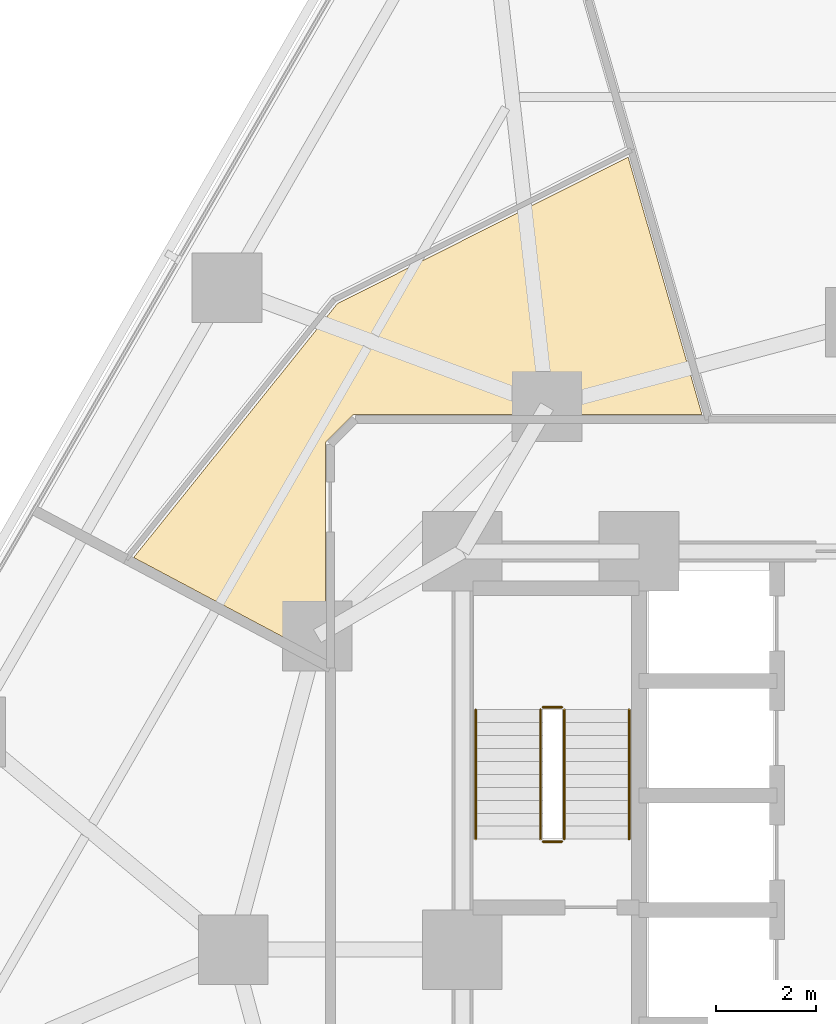
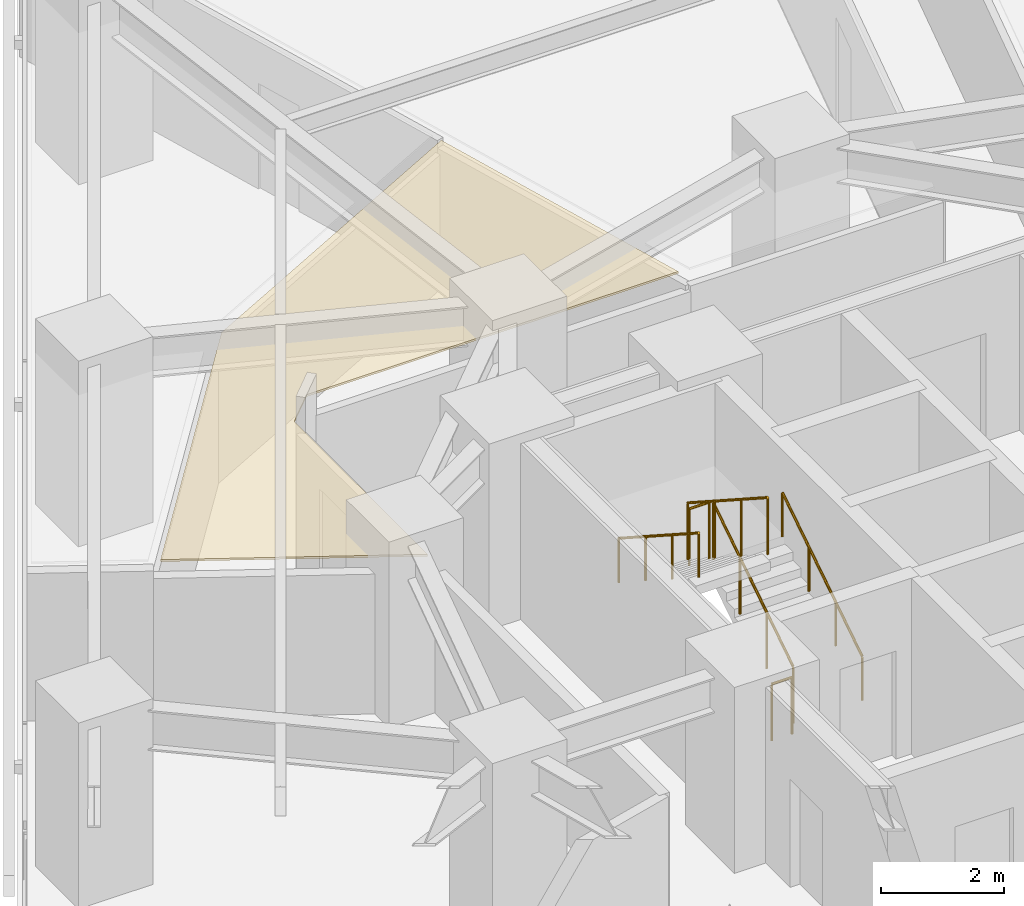
# One storey, part 14 of 16: 6 railings, 1 covering.
"""IFC4 building model written with IfcOpenShell, lengths in metres."""

from ifc_helpers import new_model, si_unit, direction, frame, origin, origin_2d, place, context, subcontext, project, spatial, polyline, circle, outline, extrude, material, layer, layer_set, type_object, element, save


model = new_model("IFC4")

# Units and contexts
model_context = context("Model", 3, precision=1e-05, world=origin(), true_north=direction((0.0, 1.0)))
body_context = subcontext(model_context, "Body", "Model", "MODEL_VIEW")
ifc_project = project(units=[si_unit("LENGTHUNIT", "METRE"), si_unit("AREAUNIT", "SQUARE_METRE"), si_unit("VOLUMEUNIT", "CUBIC_METRE"), si_unit("PLANEANGLEUNIT", "RADIAN"), si_unit("MASSUNIT", "GRAM", prefix="KILO")], contexts=[model_context])

# Site, building, storey
site_placement = place(None, origin())
site = spatial("IfcSite", under=ifc_project, at=site_placement, CompositionType="ELEMENT")
building_placement = place(site_placement, origin())
building = spatial("IfcBuilding", under=site, at=building_placement, Name="Terralouvre Media Tower", CompositionType="ELEMENT")
storey_placement = place(building_placement, frame((0.0, 0.0, 40.800048828125)))
storey = spatial("IfcBuildingStorey", under=building, at=storey_placement, Name="L09", CompositionType="ELEMENT", Elevation=40.800048828125)

# Covering
ifc_material_1 = material(Name="Perforated aluminium acoustic ceiling baffle", Category="aluminium")
ifc_layer_1 = layer(ifc_material_1, 0.0400390625, Name="Perforated Acoustic Metal Tile Ceiling CL-AC1")
ifc_layer_set_1 = layer_set([ifc_layer_1], Name="Perforated aluminium acoustic ceiling baffle")
covering_type = type_object("IfcCoveringType", Name="Perforated Acoustic Metal Tile Ceiling CL-AC1", PredefinedType="CEILING", material=ifc_layer_set_1)
covering_placement = place(storey_placement, frame((0.0, 0.0, 2.97998046875)))
element("IfcCovering", 1, at=covering_placement, inside=storey, type_object=covering_type, Name="L09 Technical Operations Control Room 12 Acoustic Ceiling", PredefinedType="CEILING", context=body_context, shape_type="SweptSolid", body=[
    extrude(outline(polyline([(-10.508544921875, 12.9765625), (-14.601318359375, 7.876708984375), (-10.75, 5.829345703125), (-10.75, 10.14990234375), (-10.74951171875, 10.159912109375), (-10.748046875, 10.16943359375), (-10.74560546875, 10.178955078125), (-10.742431640625, 10.188232421875), (-10.73828125, 10.197021484375), (-10.733154296875, 10.20556640625), (-10.727294921875, 10.21337890625), (-10.720703125, 10.220703125), (-10.220703125, 10.720703125), (-10.21337890625, 10.727294921875), (-10.20556640625, 10.733154296875), (-10.197021484375, 10.73828125), (-10.188232421875, 10.742431640625), (-10.178955078125, 10.74560546875), (-10.16943359375, 10.748046875), (-10.159912109375, 10.74951171875), (-10.14990234375, 10.75), (-3.186767578125, 10.75), (-4.668701171875, 15.91943359375), (-10.508544921875, 12.9765625)])), origin(), (0.0, 0.0, 1.0), 0.0400390625),
])

# Railings
ifc_material_2 = material(Name="Stainless steel 316 handrail and balustrade", Category="steel")
ifc_layer_2 = layer(ifc_material_2, 0.050048828125, Name="Stair Flight Wall Handrail HR-INT1")
ifc_layer_set_2 = layer_set([ifc_layer_2], Name="Stainless steel 316 handrail and balustrade")
railing_type_1 = type_object("IfcRailingType", Name="Stair Flight Wall Handrail HR-INT1", PredefinedType="HANDRAIL", material=ifc_layer_set_2)
railing_1_placement = place(storey_placement, frame((-4.64990234375, 2.219970703125, 0.168212890625)))
element("IfcRailing", 2, at=railing_1_placement, inside=storey, type_object=railing_type_1, Name="L09 ST-01 stair handrail 1", PredefinedType="HANDRAIL", context=body_context, shape_type="SweptSolid", body=[
    extrude(circle(Radius=0.02392578125, at=origin_2d()), frame((0.0, 0.0, 0.8759765625), z_axis=(0.0, 0.839684365666, 0.543074733399), x_axis=(-1.0, 0.0, 0.0)), (0.0, 0.0, 1.0), 3.096435546875),
    extrude(circle(Radius=0.02099609375, at=origin_2d()), origin(), (0.0, 0.0, 1.0), 0.851806640625),
    extrude(circle(Radius=0.02099609375, at=origin_2d()), frame((0.0, 0.86669921875, 0.560546875)), (0.0, 0.0, 1.0), 0.851806640625),
    extrude(circle(Radius=0.02099609375, at=origin_2d()), frame((0.0, 1.7333984375, 1.12109375)), (0.0, 0.0, 1.0), 0.851806640625),
    extrude(circle(Radius=0.02099609375, at=origin_2d()), frame((0.0, 2.60009765625, 1.681640625)), (0.0, 0.0, 1.0), 0.851806640625),
])
railing_2_placement = place(storey_placement, frame((-7.72998046875, 4.820068359375, 2.01806640625)))
element("IfcRailing", 3, at=railing_2_placement, inside=storey, type_object=railing_type_1, Name="L09 ST-01 stair handrail 2", PredefinedType="HANDRAIL", context=body_context, shape_type="SweptSolid", body=[
    extrude(circle(Radius=0.02392578125, at=origin_2d()), frame((0.0, 0.0, 0.8759765625), z_axis=(0.0, -0.839648411786, 0.543130320075), x_axis=(1.0, 0.0, 0.0)), (0.0, 0.0, 1.0), 3.0966796875),
    extrude(circle(Radius=0.02099609375, at=origin_2d()), origin(), (0.0, 0.0, 1.0), 0.851806640625),
    extrude(circle(Radius=0.02099609375, at=origin_2d()), frame((0.0, -0.86669921875, 0.560546875)), (0.0, 0.0, 1.0), 0.851806640625),
    extrude(circle(Radius=0.02099609375, at=origin_2d()), frame((0.0, -1.7333984375, 1.121337890625)), (0.0, 0.0, 1.0), 0.851806640625),
    extrude(circle(Radius=0.02099609375, at=origin_2d()), frame((0.0, -2.60009765625, 1.681884765625)), (0.0, 0.0, 1.0), 0.851806640625),
])
ifc_material_3 = material(Name="Stainless steel 316 handrail and balustrade", Category="steel")
ifc_layer_3 = layer(ifc_material_3, 0.050048828125, Name="Stairwell Safety Guardrail GR-INT1")
ifc_layer_set_3 = layer_set([ifc_layer_3], Name="Stainless steel 316 handrail and balustrade")
railing_type_2 = type_object("IfcRailingType", Name="Stairwell Safety Guardrail GR-INT1", PredefinedType="GUARDRAIL", material=ifc_layer_set_3)
railing_3_placement = place(storey_placement, frame((-5.949951171875, 2.219970703125, 0.168212890625)))
element("IfcRailing", 4, at=railing_3_placement, inside=storey, type_object=railing_type_2, Name="L09 ST-01 stair guard 1", PredefinedType="GUARDRAIL", context=body_context, shape_type="SweptSolid", body=[
    extrude(circle(Radius=0.02392578125, at=origin_2d()), frame((0.0, 0.0, 1.1259765625), z_axis=(0.0, 0.839684365666, 0.543074733399), x_axis=(-1.0, 0.0, 0.0)), (0.0, 0.0, 1.0), 3.096435546875),
    extrude(circle(Radius=0.02099609375, at=origin_2d()), origin(), (0.0, 0.0, 1.0), 1.101806640625),
    extrude(circle(Radius=0.02099609375, at=origin_2d()), frame((0.0, 0.86669921875, 0.560546875)), (0.0, 0.0, 1.0), 1.101806640625),
    extrude(circle(Radius=0.02099609375, at=origin_2d()), frame((0.0, 1.7333984375, 1.12109375)), (0.0, 0.0, 1.0), 1.101806640625),
    extrude(circle(Radius=0.02099609375, at=origin_2d()), frame((0.0, 2.60009765625, 1.681640625)), (0.0, 0.0, 1.0), 1.101806640625),
])
railing_4_placement = place(storey_placement, frame((-6.0, 4.8701171875, 1.849853515625)))
element("IfcRailing", 5, at=railing_4_placement, inside=storey, type_object=railing_type_2, Name="L09 ST-01 stair guard 2", PredefinedType="GUARDRAIL", context=body_context, shape_type="SweptSolid", body=[
    extrude(circle(Radius=0.02392578125, at=origin_2d()), frame((0.0, 0.0, 1.1259765625), z_axis=(-1.0, 0.0, 0.0), x_axis=(0.0, -1.0, 0.0)), (0.0, 0.0, 1.0), 0.3798828125),
    extrude(circle(Radius=0.02099609375, at=origin_2d()), origin(), (0.0, 0.0, 1.0), 1.101806640625),
    extrude(circle(Radius=0.02099609375, at=origin_2d()), frame((-0.3798828125, 0.0, 0.0)), (0.0, 0.0, 1.0), 1.101806640625),
])
railing_5_placement = place(storey_placement, frame((-6.429931640625, 4.820068359375, 2.01806640625)))
element("IfcRailing", 6, at=railing_5_placement, inside=storey, type_object=railing_type_2, Name="L09 ST-01 stair guard 3", PredefinedType="GUARDRAIL", context=body_context, shape_type="SweptSolid", body=[
    extrude(circle(Radius=0.02392578125, at=origin_2d()), frame((0.0, 0.0, 1.1259765625), z_axis=(0.0, -0.839648411786, 0.543130320075), x_axis=(1.0, 0.0, 0.0)), (0.0, 0.0, 1.0), 3.0966796875),
    extrude(circle(Radius=0.02099609375, at=origin_2d()), origin(), (0.0, 0.0, 1.0), 1.101806640625),
    extrude(circle(Radius=0.02099609375, at=origin_2d()), frame((0.0, -0.86669921875, 0.560546875)), (0.0, 0.0, 1.0), 1.101806640625),
    extrude(circle(Radius=0.02099609375, at=origin_2d()), frame((0.0, -1.7333984375, 1.121337890625)), (0.0, 0.0, 1.0), 1.101806640625),
    extrude(circle(Radius=0.02099609375, at=origin_2d()), frame((0.0, -2.60009765625, 1.681884765625)), (0.0, 0.0, 1.0), 1.101806640625),
])
railing_6_placement = place(storey_placement, frame((-6.0, 2.169921875, 0.0)))
element("IfcRailing", 7, at=railing_6_placement, inside=storey, type_object=railing_type_2, Name="L09 ST-01 stair guard 4", PredefinedType="GUARDRAIL", context=body_context, shape_type="SweptSolid", body=[
    extrude(circle(Radius=0.02392578125, at=origin_2d()), frame((0.0, 0.0, 1.1259765625), z_axis=(-1.0, 0.0, 0.0), x_axis=(0.0, -1.0, 0.0)), (0.0, 0.0, 1.0), 0.3798828125),
    extrude(circle(Radius=0.02099609375, at=origin_2d()), origin(), (0.0, 0.0, 1.0), 1.101806640625),
    extrude(circle(Radius=0.02099609375, at=origin_2d()), frame((-0.3798828125, 0.0, 0.0)), (0.0, 0.0, 1.0), 1.101806640625),
])

save(model, "model.ifc")
